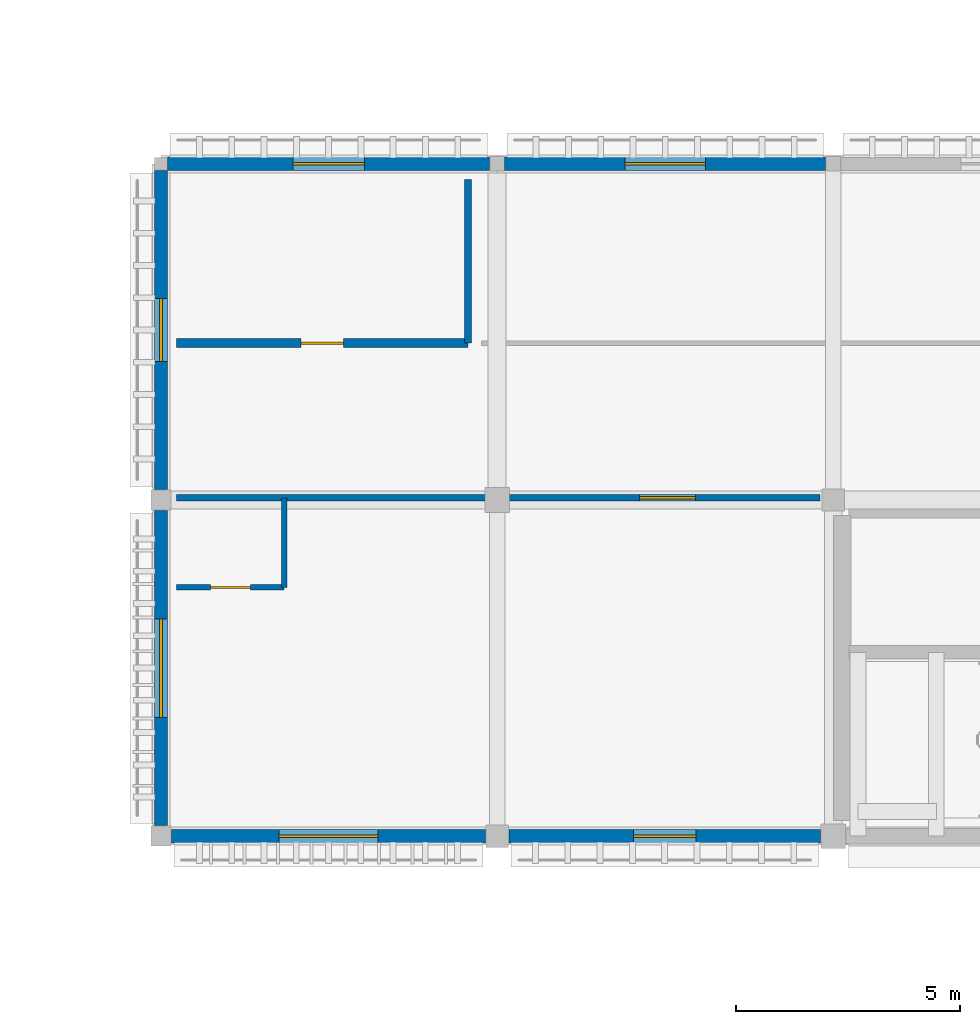
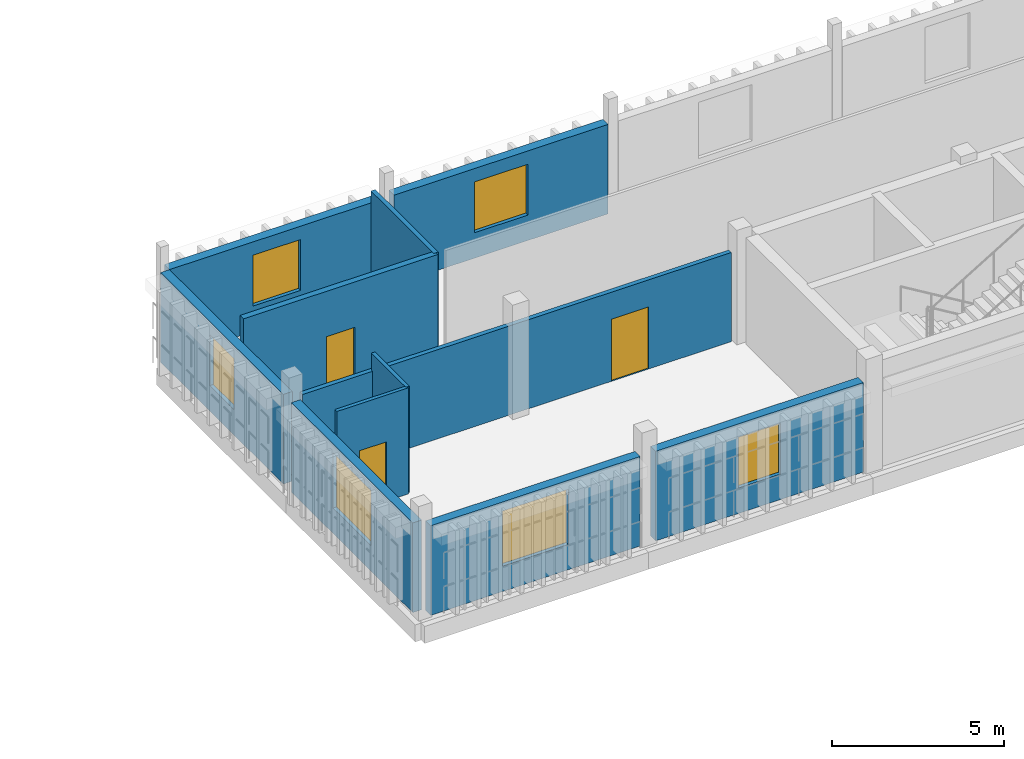
# One storey, part 20 of 48: 11 walls, 6 windows, 3 doors, 9 openings.
"""IFC4 building model written with IfcOpenShell, lengths in metres."""

import ifcopenshell
import ifcopenshell.guid

model = None  # the IFC model being written
_history = None  # IfcOwnerHistory: only IFC2X3 demands one
_inside = {}  # id of a spatial element -> (the spatial element, [elements in it])
_under = {}  # id of a project, library or spatial element -> (it, [spatial elements below it])
_declared = {}  # id of a project -> (the project, [libraries it declares])
_typed = {}  # id of a type object -> (the type object, [elements of that type])
_made_of = {}  # id of a material, layer set ... -> (it, [elements and type objects made of it])


def new_model(schema):
    """Start an empty IFC model of exactly this schema.

    Asked for "IFC4X3", IfcOpenShell would pick the latest addendum, in which some entities
    have other attributes; the version numbers below select the first issue.
    IFC2X3 requires an IfcOwnerHistory on every rooted entity: one is made here for all.
    """
    global model, _history
    if schema == "IFC4X3":
        model = ifcopenshell.file(schema_version=(4, 3, 0, 0))
    else:
        model = ifcopenshell.file(schema=schema)
    _inside.clear()
    _under.clear()
    _declared.clear()
    _typed.clear()
    _made_of.clear()
    _history = None
    if model.schema == "IFC2X3":
        org = make("IfcOrganization", Name="unknown")
        user = make(
            "IfcPersonAndOrganization",
            ThePerson=make("IfcPerson", FamilyName="unknown"),
            TheOrganization=org,
        )
        app = make(
            "IfcApplication",
            ApplicationDeveloper=org,
            Version="unknown",
            ApplicationFullName="unknown",
            ApplicationIdentifier="unknown",
        )
        _history = make(
            "IfcOwnerHistory",
            OwningUser=user,
            OwningApplication=app,
            ChangeAction="ADDED",
            CreationDate=0,
        )
    return model


def make(cls, **values):
    """One entity of the class cls with the attributes given. An attribute that is None is left unset."""
    return model.create_entity(
        cls, **{name: value for name, value in values.items() if value is not None}
    )


def rooted(cls, **values):
    """An entity with a GlobalId (a new one), such as an element, a storey or a relation."""
    return make(cls, GlobalId=ifcopenshell.guid.new(), OwnerHistory=_history, **values)


def si_unit(unit_type, name, prefix=None):
    """IfcSIUnit, for example si_unit("LENGTHUNIT", "METRE", prefix="MILLI")."""
    return make("IfcSIUnit", UnitType=unit_type, Prefix=prefix, Name=name)


def assignment(units):
    """IfcUnitAssignment: the units of a project."""
    return None if units is None else make("IfcUnitAssignment", Units=units)


def point(xyz):
    """IfcCartesianPoint."""
    return None if xyz is None else make("IfcCartesianPoint", Coordinates=xyz)


def direction(xyz):
    """IfcDirection."""
    return None if xyz is None else make("IfcDirection", DirectionRatios=xyz)


def frame(location, z_axis=None, x_axis=None):
    """IfcAxis2Placement3D, a coordinate frame: its origin and axes. An axis left out is left unset."""
    return make(
        "IfcAxis2Placement3D",
        Location=point(location),
        Axis=direction(z_axis),
        RefDirection=direction(x_axis),
    )


def frame_2d(location, x_axis=None):
    """IfcAxis2Placement2D, a coordinate frame in the plane: its origin and x axis."""
    return make(
        "IfcAxis2Placement2D", Location=point(location), RefDirection=direction(x_axis)
    )


def origin():
    """The frame at (0, 0, 0) with its axes left unset."""
    return frame((0.0, 0.0, 0.0))


def place(relative_to, where):
    """IfcLocalPlacement: puts the frame where relative to a parent placement (None: the world)."""
    return make(
        "IfcLocalPlacement", PlacementRelTo=relative_to, RelativePlacement=where
    )


def context(
    kind, dimensions, precision=None, world=None, true_north=None, identifier=None
):
    """IfcGeometricRepresentationContext, for example the 3D "Model" context."""
    return make(
        "IfcGeometricRepresentationContext",
        ContextIdentifier=identifier,
        ContextType=kind,
        CoordinateSpaceDimension=dimensions,
        Precision=precision,
        WorldCoordinateSystem=world,
        TrueNorth=true_north,
    )


def subcontext(parent, identifier, kind, view, scale=None):
    """IfcGeometricRepresentationSubContext, for example "Body" below "Model"."""
    return make(
        "IfcGeometricRepresentationSubContext",
        ContextIdentifier=identifier,
        ContextType=kind,
        ParentContext=parent,
        TargetScale=scale,
        TargetView=view,
    )


def project(units=None, contexts=None):
    """IfcProject with its units and contexts."""
    return rooted(
        "IfcProject",
        Name="project",
        RepresentationContexts=contexts,
        UnitsInContext=assignment(units),
    )


def spatial(cls, under=None, at=None, **own):
    """A site, building, storey or space (cls), placed at a placement, below another one or the project."""
    s = rooted(cls, ObjectPlacement=at, **own)
    if under is not None:
        _under.setdefault(under.id(), (under, []))[1].append(s)
    return s


def profile(cls, at=None, kind="AREA", **sizes):
    """A parametric profile (cls). Its sizes go by their IFC names, for example OverallWidth=200.0."""
    return make(cls, ProfileType=kind, Position=at, **sizes)


def rectangle(**sizes):
    """IfcRectangleProfileDef."""
    return profile("IfcRectangleProfileDef", **sizes)


def extrude(swept, where, along, depth):
    """IfcExtrudedAreaSolid: the profile swept, set in the frame where, extruded along a direction by depth."""
    return make(
        "IfcExtrudedAreaSolid",
        SweptArea=swept,
        Position=where,
        ExtrudedDirection=direction(along),
        Depth=depth,
    )


def shape(context_of_items, identifier, shape_type, items):
    """IfcShapeRepresentation: the items that make up one representation, for example the "Body"."""
    return make(
        "IfcShapeRepresentation",
        ContextOfItems=context_of_items,
        RepresentationIdentifier=identifier,
        RepresentationType=shape_type,
        Items=items,
    )


def material(Name=None, Category=None):
    """IfcMaterial."""
    return make("IfcMaterial", Name=Name, Category=Category)


def layer(
    of_material, thickness, ventilated=None, Name=None, Category=None, Priority=None
):
    """IfcMaterialLayer: one layer of a wall or slab, of a material (None: an air gap)."""
    return make(
        "IfcMaterialLayer",
        Material=of_material,
        LayerThickness=thickness,
        IsVentilated=ventilated,
        Name=Name,
        Category=Category,
        Priority=Priority,
    )


def layer_set(layers, Name=None):
    """IfcMaterialLayerSet."""
    return make("IfcMaterialLayerSet", MaterialLayers=layers, LayerSetName=Name)


def made_of(thing, what):
    """Note that an element or type object is made of a material, layer set ...; save() writes the relation."""
    if what is not None:
        _made_of.setdefault(what.id(), (what, []))[1].append(thing)
    return thing


def type_object(cls, material=None, **own):
    """A type object (cls), such as IfcWallType, which elements share."""
    return made_of(rooted(cls, **own), material)


def element(
    cls,
    number,
    at=None,
    inside=None,
    cuts=None,
    type_object=None,
    material=None,
    context=None,
    identifier="Body",
    shape_type=None,
    held_by="IfcProductDefinitionShape",
    body=None,
    shapes=None,
    **own,
):
    """One element of the class cls, such as IfcWall. Its Tag is "e" and its number.

    at: its placement. inside: the storey or other place that contains it. cuts: it is an
    opening in that element (IfcRelVoidsElement). A single representation is given by context,
    identifier, shape_type and body (its items); several are given by shapes. held_by: the class
    of the entity that holds the representations. save() writes the other relations.
    """
    e = rooted(cls, Tag="e%d" % number, ObjectPlacement=at, **own)
    if body is not None:
        shapes = [shape(context, identifier, shape_type, body)]
    if shapes is not None:
        e.Representation = make(held_by, Representations=shapes)
    if inside is not None:
        _inside.setdefault(inside.id(), (inside, []))[1].append(e)
    if cuts is not None:
        rooted(
            "IfcRelVoidsElement", RelatingBuildingElement=cuts, RelatedOpeningElement=e
        )
    if type_object is not None:
        _typed.setdefault(type_object.id(), (type_object, []))[1].append(e)
    return made_of(e, material)


def fill(opening, filler):
    """IfcRelFillsElement: the door or window that sits in an opening."""
    return rooted(
        "IfcRelFillsElement",
        RelatingOpeningElement=opening,
        RelatedBuildingElement=filler,
    )


def aggregate(whole, parts):
    """IfcRelAggregates: a whole, such as a stair, and the parts it consists of."""
    return rooted("IfcRelAggregates", RelatingObject=whole, RelatedObjects=parts)


def save(model, path):
    """Write the relations noted so far, then the file.

    IfcRelAggregates (storeys below a building ...), IfcRelContainedInSpatialStructure (elements
    in a storey), IfcRelDefinesByType, IfcRelAssociatesMaterial and IfcRelDeclares: one each for
    every whole, place, type object, material and project.
    """
    for whole, parts in _under.values():
        aggregate(whole, parts)
    for where, things in _inside.values():
        rooted(
            "IfcRelContainedInSpatialStructure",
            RelatedElements=things,
            RelatingStructure=where,
        )
    for kind, things in _typed.values():
        rooted("IfcRelDefinesByType", RelatedObjects=things, RelatingType=kind)
    for what, things in _made_of.values():
        rooted("IfcRelAssociatesMaterial", RelatedObjects=things, RelatingMaterial=what)
    for by, libraries in _declared.values():
        rooted("IfcRelDeclares", RelatingContext=by, RelatedDefinitions=libraries)
    model.write(path)


model = new_model("IFC4")

# Units and contexts
model_context = context("Model", 3, precision=1e-05, world=origin(), true_north=direction((0.0, 1.0)))
body_context = subcontext(model_context, "Body", "Model", "MODEL_VIEW")
ifc_project = project(units=[si_unit("LENGTHUNIT", "METRE"), si_unit("AREAUNIT", "SQUARE_METRE"), si_unit("VOLUMEUNIT", "CUBIC_METRE"), si_unit("PLANEANGLEUNIT", "RADIAN"), si_unit("MASSUNIT", "GRAM", prefix="KILO")], contexts=[model_context])

# Site, building, storey
site_placement = place(None, origin())
site = spatial("IfcSite", under=ifc_project, at=site_placement, CompositionType="ELEMENT")
building_placement = place(site_placement, origin())
building = spatial("IfcBuilding", under=site, at=building_placement, Name="Dalvernix Boulevard General Hospital", CompositionType="ELEMENT")
storey_placement = place(building_placement, frame((0.0, 0.0, 17.85009765625)))
storey = spatial("IfcBuildingStorey", under=building, at=storey_placement, Name="L04", CompositionType="ELEMENT", Elevation=17.85009765625)

# Wall, opening, window
ifc_material_1 = material(Name="Pressed Catalan clay brick and ceramic spandrel wall C35/45", Category="masonry")
ifc_layer_1 = layer(ifc_material_1, 0.300048828125)
ifc_layer_set_1 = layer_set([ifc_layer_1], Name="Pressed Catalan clay brick and ceramic spandrel wall C35/45 (WAL-EW-02)")
wall_type_1 = type_object("IfcWallType", Name="WAL-EW-02", PredefinedType="STANDARD", material=ifc_layer_set_1)
wall_1_placement = place(storey_placement, frame((119.739990234375, 7.5, 0.0), z_axis=(0.0, 0.0, 1.0), x_axis=(-1.0, 0.0, 0.0)))
wall_1 = element("IfcWall", 1, at=wall_1_placement, inside=storey, type_object=wall_type_1, Name="L04 Catalan brick external wall S 15-1", PredefinedType="STANDARD", context=body_context, shape_type="SweptSolid", body=[
    extrude(rectangle(XDim=7.0048828125, YDim=0.300048828125, at=frame_2d((3.50244140625, 0.0))), origin(), (0.0, 0.0, 1.0), 3.169921875),
])
opening_1_placement = place(wall_1_placement, frame((2.402587890625, 0.0, 0.89990234375)))
opening_1 = element("IfcOpeningElement", 2, at=opening_1_placement, cuts=wall_1, Name="Opening WN-13", PredefinedType="OPENING", context=body_context, shape_type="SweptSolid", body=[
    extrude(rectangle(XDim=2.199951171875, YDim=1.949951171875, at=frame_2d((1.10009765625, 0.97509765625))), frame((0.0, 0.159912109375, 0.0), z_axis=(0.0, -1.0, 0.0), x_axis=(1.0, 0.0, 0.0)), (0.0, 0.0, 1.0), 0.320068359375),
])
ifc_material_2 = material(Name="Thermally broken aluminium frame with solar-control double glazing", Category="aluminium")
window_type_1 = type_object("IfcWindowType", Name="WIN-WN-13", PartitioningType="SINGLE_PANEL", PredefinedType="WINDOW", material=ifc_material_2)
window_1_placement = place(opening_1_placement, origin())
window_1 = element("IfcWindow", 3, at=window_1_placement, inside=storey, type_object=window_type_1, Name="L04 clinical window WN-13 S 15-1", OverallHeight=1.949951171875, OverallWidth=2.199951171875, PartitioningType="SINGLE_PANEL", PredefinedType="WINDOW", context=body_context, shape_type="SweptSolid", body=[
    extrude(rectangle(XDim=2.199951171875, YDim=1.949951171875, at=frame_2d((1.10009765625, 0.97509765625))), frame((0.0, 0.030029296875, 0.0), z_axis=(0.0, -1.0, 0.0), x_axis=(1.0, 0.0, 0.0)), (0.0, 0.0, 1.0), 0.06005859375),
])
fill(opening_1, window_1)

wall_2_placement = place(storey_placement, frame((112.5, 7.735107421875, 0.0), z_axis=(0.0, 0.0, 1.0), x_axis=(0.0, 1.0, 0.0)))
wall_2 = element("IfcWall", 4, at=wall_2_placement, inside=storey, type_object=wall_type_1, Name="L04 Catalan brick external wall W 15-1", PredefinedType="STANDARD", context=body_context, shape_type="SweptSolid", body=[
    extrude(rectangle(XDim=7.02978515625, YDim=0.300048828125, at=frame_2d((3.514892578125, 0.0))), origin(), (0.0, 0.0, 1.0), 3.169921875),
])
opening_2_placement = place(wall_2_placement, frame((2.4150390625, 0.0, 0.89990234375)))
opening_2 = element("IfcOpeningElement", 5, at=opening_2_placement, cuts=wall_2, Name="Opening WN-13", PredefinedType="OPENING", context=body_context, shape_type="SweptSolid", body=[
    extrude(rectangle(XDim=2.199951171875, YDim=1.949951171875, at=frame_2d((1.10009765625, 0.97509765625))), frame((0.0, 0.159912109375, 0.0), z_axis=(0.0, -1.0, 0.0), x_axis=(1.0, 0.0, 0.0)), (0.0, 0.0, 1.0), 0.320068359375),
])
window_2_placement = place(opening_2_placement, origin())
window_2 = element("IfcWindow", 6, at=window_2_placement, inside=storey, type_object=window_type_1, Name="L04 clinical window WN-13 W 15-1", OverallHeight=1.949951171875, OverallWidth=2.199951171875, PartitioningType="SINGLE_PANEL", PredefinedType="WINDOW", context=body_context, shape_type="SweptSolid", body=[
    extrude(rectangle(XDim=2.199951171875, YDim=1.949951171875, at=frame_2d((1.10009765625, 0.97509765625))), frame((0.0, 0.030029296875, 0.0), z_axis=(0.0, -1.0, 0.0), x_axis=(1.0, 0.0, 0.0)), (0.0, 0.0, 1.0), 0.06005859375),
])
fill(opening_2, window_2)

wall_3_placement = place(storey_placement, frame((112.64990234375, 22.5, 0.0), z_axis=(0.0, 0.0, 1.0), x_axis=(1.0, 0.0, 0.0)))
wall_3 = element("IfcWall", 7, at=wall_3_placement, inside=storey, type_object=wall_type_1, Name="L04 Catalan brick external wall N 15-3", PredefinedType="STANDARD", context=body_context, shape_type="SweptSolid", body=[
    extrude(rectangle(XDim=7.18017578125, YDim=0.300048828125, at=frame_2d((3.590087890625, 0.0))), origin(), (0.0, 0.0, 1.0), 3.169921875),
])
opening_3_placement = place(wall_3_placement, frame((2.7900390625, 0.0, 0.89990234375)))
opening_3 = element("IfcOpeningElement", 8, at=opening_3_placement, cuts=wall_3, Name="Opening WN-15", PredefinedType="OPENING", context=body_context, shape_type="SweptSolid", body=[
    extrude(rectangle(XDim=1.60009765625, YDim=1.800048828125, at=frame_2d((0.800048828125, 0.89990234375))), frame((0.0, 0.159912109375, 0.0), z_axis=(0.0, -1.0, 0.0), x_axis=(1.0, 0.0, 0.0)), (0.0, 0.0, 1.0), 0.320068359375),
])
window_type_2 = type_object("IfcWindowType", Name="WIN-WN-15", PartitioningType="SINGLE_PANEL", PredefinedType="WINDOW", material=ifc_material_2)
window_3_placement = place(opening_3_placement, origin())
window_3 = element("IfcWindow", 9, at=window_3_placement, inside=storey, type_object=window_type_2, Name="L04 clinical window WN-15 N 15-3", OverallHeight=1.800048828125, OverallWidth=1.60009765625, PartitioningType="SINGLE_PANEL", PredefinedType="WINDOW", context=body_context, shape_type="SweptSolid", body=[
    extrude(rectangle(XDim=1.60009765625, YDim=1.800048828125, at=frame_2d((0.800048828125, 0.89990234375))), frame((0.0, 0.030029296875, 0.0), z_axis=(0.0, -1.0, 0.0), x_axis=(1.0, 0.0, 0.0)), (0.0, 0.0, 1.0), 0.06005859375),
])
fill(opening_3, window_3)

wall_4_placement = place(storey_placement, frame((112.5, 15.235107421875, 0.0), z_axis=(0.0, 0.0, 1.0), x_axis=(0.0, 1.0, 0.0)))
wall_4 = element("IfcWall", 10, at=wall_4_placement, inside=storey, type_object=wall_type_1, Name="L04 Catalan brick external wall W 15-2", PredefinedType="STANDARD", context=body_context, shape_type="SweptSolid", body=[
    extrude(rectangle(XDim=7.114990234375, YDim=0.300048828125, at=frame_2d((3.5576171875, 0.0))), origin(), (0.0, 0.0, 1.0), 3.169921875),
])
opening_4_placement = place(wall_4_placement, frame((2.857421875, 0.0, 0.89990234375)))
opening_4 = element("IfcOpeningElement", 11, at=opening_4_placement, cuts=wall_4, Name="Opening WN-14", PredefinedType="OPENING", context=body_context, shape_type="SweptSolid", body=[
    extrude(rectangle(XDim=1.39990234375, YDim=1.800048828125, at=frame_2d((0.699951171875, 0.89990234375))), frame((0.0, 0.159912109375, 0.0), z_axis=(0.0, -1.0, 0.0), x_axis=(1.0, 0.0, 0.0)), (0.0, 0.0, 1.0), 0.320068359375),
])
window_type_3 = type_object("IfcWindowType", Name="WIN-WN-14", PartitioningType="SINGLE_PANEL", PredefinedType="WINDOW", material=ifc_material_2)
window_4_placement = place(opening_4_placement, origin())
window_4 = element("IfcWindow", 12, at=window_4_placement, inside=storey, type_object=window_type_3, Name="L04 clinical window WN-14 W 15-2", OverallHeight=1.800048828125, OverallWidth=1.39990234375, PartitioningType="SINGLE_PANEL", PredefinedType="WINDOW", context=body_context, shape_type="SweptSolid", body=[
    extrude(rectangle(XDim=1.39990234375, YDim=1.800048828125, at=frame_2d((0.699951171875, 0.89990234375))), frame((0.0, 0.030029296875, 0.0), z_axis=(0.0, -1.0, 0.0), x_axis=(1.0, 0.0, 0.0)), (0.0, 0.0, 1.0), 0.06005859375),
])
fill(opening_4, window_4)

wall_5_placement = place(storey_placement, frame((127.215087890625, 7.5, 0.0), z_axis=(0.0, 0.0, 1.0), x_axis=(-1.0, 0.0, 0.0)))
wall_5 = element("IfcWall", 13, at=wall_5_placement, inside=storey, type_object=wall_type_1, Name="L04 Catalan brick external wall S 16-1", PredefinedType="STANDARD", context=body_context, shape_type="SweptSolid", body=[
    extrude(rectangle(XDim=6.955078125, YDim=0.300048828125, at=frame_2d((3.4775390625, 0.0))), origin(), (0.0, 0.0, 1.0), 3.169921875),
])
opening_5_placement = place(wall_5_placement, frame((2.777587890625, 0.0, 0.89990234375)))
opening_5 = element("IfcOpeningElement", 14, at=opening_5_placement, cuts=wall_5, Name="Opening WN-14", PredefinedType="OPENING", context=body_context, shape_type="SweptSolid", body=[
    extrude(rectangle(XDim=1.39990234375, YDim=1.800048828125, at=frame_2d((0.699951171875, 0.89990234375))), frame((0.0, 0.159912109375, 0.0), z_axis=(0.0, -1.0, 0.0), x_axis=(1.0, 0.0, 0.0)), (0.0, 0.0, 1.0), 0.320068359375),
])
window_5_placement = place(opening_5_placement, origin())
window_5 = element("IfcWindow", 15, at=window_5_placement, inside=storey, type_object=window_type_3, Name="L04 clinical window WN-14 S 16-1", OverallHeight=1.800048828125, OverallWidth=1.39990234375, PartitioningType="SINGLE_PANEL", PredefinedType="WINDOW", context=body_context, shape_type="SweptSolid", body=[
    extrude(rectangle(XDim=1.39990234375, YDim=1.800048828125, at=frame_2d((0.699951171875, 0.89990234375))), frame((0.0, 0.030029296875, 0.0), z_axis=(0.0, -1.0, 0.0), x_axis=(1.0, 0.0, 0.0)), (0.0, 0.0, 1.0), 0.06005859375),
])
fill(opening_5, window_5)

wall_6_placement = place(storey_placement, frame((120.169921875, 22.5, 0.0), z_axis=(0.0, 0.0, 1.0), x_axis=(1.0, 0.0, 0.0)))
wall_6 = element("IfcWall", 16, at=wall_6_placement, inside=storey, type_object=wall_type_1, Name="L04 Catalan brick external wall N 16-3", PredefinedType="STANDARD", context=body_context, shape_type="SweptSolid", body=[
    extrude(rectangle(XDim=7.16015625, YDim=0.300048828125, at=frame_2d((3.580078125, 0.0))), origin(), (0.0, 0.0, 1.0), 3.169921875),
])
opening_6_placement = place(wall_6_placement, frame((2.679931640625, 0.0, 0.89990234375)))
opening_6 = element("IfcOpeningElement", 17, at=opening_6_placement, cuts=wall_6, Name="Opening WN-16", PredefinedType="OPENING", context=body_context, shape_type="SweptSolid", body=[
    extrude(rectangle(XDim=1.800048828125, YDim=1.800048828125, at=frame_2d((0.89990234375, 0.89990234375))), frame((0.0, 0.159912109375, 0.0), z_axis=(0.0, -1.0, 0.0), x_axis=(1.0, 0.0, 0.0)), (0.0, 0.0, 1.0), 0.320068359375),
])
window_type_4 = type_object("IfcWindowType", Name="WIN-WN-16", PartitioningType="SINGLE_PANEL", PredefinedType="WINDOW", material=ifc_material_2)
window_6_placement = place(opening_6_placement, origin())
window_6 = element("IfcWindow", 18, at=window_6_placement, inside=storey, type_object=window_type_4, Name="L04 clinical window WN-16 N 16-3", OverallHeight=1.800048828125, OverallWidth=1.800048828125, PartitioningType="SINGLE_PANEL", PredefinedType="WINDOW", context=body_context, shape_type="SweptSolid", body=[
    extrude(rectangle(XDim=1.800048828125, YDim=1.800048828125, at=frame_2d((0.89990234375, 0.89990234375))), frame((0.0, 0.030029296875, 0.0), z_axis=(0.0, -1.0, 0.0), x_axis=(1.0, 0.0, 0.0)), (0.0, 0.0, 1.0), 0.06005859375),
])
fill(opening_6, window_6)

# Wall, opening, door
ifc_material_3 = material(Name="Fire-compartment corridor masonry wall", Category="masonry")
ifc_layer_2 = layer(ifc_material_3, 0.199951171875)
ifc_layer_set_2 = layer_set([ifc_layer_2], Name="Fire-compartment corridor masonry wall (WAL-IW-02)")
wall_type_2 = type_object("IfcWallType", Name="WAL-IW-02", PredefinedType="STANDARD", material=ifc_layer_set_2)
wall_7_placement = place(storey_placement, frame((112.85009765625, 18.5, 0.0), z_axis=(0.0, 0.0, 1.0), x_axis=(1.0, 0.0, 0.0)))
wall_7 = element("IfcWall", 19, at=wall_7_placement, inside=storey, type_object=wall_type_2, Name="L04 Accessible WC L04 South-East corridor wall", PredefinedType="STANDARD", context=body_context, shape_type="SweptSolid", body=[
    extrude(rectangle(XDim=6.5, YDim=0.199951171875, at=frame_2d((3.25, 0.0))), origin(), (0.0, 0.0, 1.0), 3.7548828125),
])
opening_7_placement = place(wall_7_placement, frame((2.77490234375, 0.0, 0.0)))
opening_7 = element("IfcOpeningElement", 20, at=opening_7_placement, cuts=wall_7, Name="Opening ID-06", PredefinedType="OPENING", context=body_context, shape_type="SweptSolid", body=[
    extrude(rectangle(XDim=0.949951171875, YDim=2.14990234375, at=frame_2d((0.47509765625, 1.074951171875))), frame((0.0, 0.10986328125, 0.0), z_axis=(0.0, -1.0, 0.0), x_axis=(1.0, 0.0, 0.0)), (0.0, 0.0, 1.0), 0.219970703125),
])
ifc_material_4 = material(Name="Hospital laminate acoustic timber and steel frame", Category="steel")
door_type_1 = type_object("IfcDoorType", Name="DR-ID-06", OperationType="NOTDEFINED", PredefinedType="DOOR", material=ifc_material_4)
door_1_placement = place(opening_7_placement, origin())
door_1 = element("IfcDoor", 21, at=door_1_placement, inside=storey, type_object=door_type_1, Name="L04 Accessible WC L04 South-East door", OperationType="SINGLE_SWING_LEFT", OverallHeight=2.14990234375, OverallWidth=0.949951171875, PredefinedType="DOOR", context=body_context, shape_type="SweptSolid", body=[
    extrude(rectangle(XDim=0.949951171875, YDim=2.14990234375, at=frame_2d((0.47509765625, 1.074951171875))), frame((0.0, 0.02490234375, 0.0), z_axis=(0.0, -1.0, 0.0), x_axis=(1.0, 0.0, 0.0)), (0.0, 0.0, 1.0), 0.050048828125),
])
fill(opening_7, door_1)

ifc_material_5 = material(Name="Acoustic double-stud gypsum inpatient partition")
ifc_layer_3 = layer(ifc_material_5, 0.14990234375)
ifc_layer_set_3 = layer_set([ifc_layer_3], Name="Acoustic double-stud gypsum inpatient partition (WAL-IW-04)")
wall_type_3 = type_object("IfcWallType", Name="WAL-IW-04", PredefinedType="PARTITIONING", material=ifc_layer_set_3)
wall_8_placement = place(storey_placement, frame((127.199951171875, 15.050048828125, 0.0), z_axis=(0.0, 0.0, 1.0), x_axis=(-1.0, 0.0, 0.0)))
wall_8 = element("IfcWall", 22, at=wall_8_placement, inside=storey, type_object=wall_type_3, Name="L04 Paediatric Patient Room L04-01 corridor wall", PredefinedType="PARTITIONING", context=body_context, shape_type="SweptSolid", body=[
    extrude(rectangle(XDim=14.349853515625, YDim=0.14990234375, at=frame_2d((7.1748046875, 0.0))), origin(), (0.0, 0.0, 1.0), 3.15478515625),
])
opening_8_placement = place(wall_8_placement, frame((2.77001953125, 0.0, 0.0)))
opening_8 = element("IfcOpeningElement", 23, at=opening_8_placement, cuts=wall_8, Name="Opening ID-04", PredefinedType="OPENING", context=body_context, shape_type="SweptSolid", body=[
    extrude(rectangle(XDim=1.25, YDim=2.199951171875, at=frame_2d((0.625, 1.10009765625))), frame((0.0, 0.0849609375, 0.0), z_axis=(0.0, -1.0, 0.0), x_axis=(1.0, 0.0, 0.0)), (0.0, 0.0, 1.0), 0.169921875),
])
door_type_2 = type_object("IfcDoorType", Name="DR-ID-04", OperationType="NOTDEFINED", PredefinedType="DOOR", material=ifc_material_4)
door_2_placement = place(opening_8_placement, origin())
door_2 = element("IfcDoor", 24, at=door_2_placement, inside=storey, type_object=door_type_2, Name="L04 Paediatric Patient Room L04-01 door", OperationType="SINGLE_SWING_LEFT", OverallHeight=2.199951171875, OverallWidth=1.25, PredefinedType="DOOR", context=body_context, shape_type="SweptSolid", body=[
    extrude(rectangle(XDim=1.25, YDim=2.199951171875, at=frame_2d((0.625, 1.10009765625))), frame((0.0, 0.02490234375, 0.0), z_axis=(0.0, -1.0, 0.0), x_axis=(1.0, 0.0, 0.0)), (0.0, 0.0, 1.0), 0.050048828125),
])
fill(opening_8, door_2)

# Wall
wall_9_placement = place(storey_placement, frame((119.35009765625, 18.5, 0.0), z_axis=(0.0, 0.0, 1.0), x_axis=(0.0, 1.0, 0.0)))
element("IfcWall", 25, at=wall_9_placement, inside=storey, type_object=wall_type_3, Name="L04 Accessible WC L04 South-East partition", PredefinedType="PARTITIONING", context=body_context, shape_type="SweptSolid", body=[
    extrude(rectangle(XDim=3.64990234375, YDim=0.14990234375, at=frame_2d((1.824951171875, 0.0))), origin(), (0.0, 0.0, 1.0), 3.7548828125),
])

# Wall, opening, door
ifc_material_6 = material(Name="Moisture-resistant en-suite bathroom partition")
ifc_layer_4 = layer(ifc_material_6, 0.1201171875)
ifc_layer_set_4 = layer_set([ifc_layer_4], Name="Moisture-resistant en-suite bathroom partition (WAL-IW-05)")
wall_type_4 = type_object("IfcWallType", Name="WAL-IW-05", PredefinedType="PARTITIONING", material=ifc_layer_set_4)
wall_10_placement = place(storey_placement, frame((112.85009765625, 13.050048828125, 0.0), z_axis=(0.0, 0.0, 1.0), x_axis=(1.0, 0.0, 0.0)))
wall_10 = element("IfcWall", 26, at=wall_10_placement, inside=storey, type_object=wall_type_4, Name="L04 en-suite bathroom door wall", PredefinedType="PARTITIONING", context=body_context, shape_type="SweptSolid", body=[
    extrude(rectangle(XDim=2.39990234375, YDim=0.1201171875, at=frame_2d((1.199951171875, 0.0))), origin(), (0.0, 0.0, 1.0), 3.7548828125),
])
opening_9_placement = place(wall_10_placement, frame((0.75, 0.0, 0.0)))
opening_9 = element("IfcOpeningElement", 27, at=opening_9_placement, cuts=wall_10, Name="Opening ID-05", PredefinedType="OPENING", context=body_context, shape_type="SweptSolid", body=[
    extrude(rectangle(XDim=0.89990234375, YDim=2.10009765625, at=frame_2d((0.449951171875, 1.050048828125))), frame((0.0, 0.070068359375, 0.0), z_axis=(0.0, -1.0, 0.0), x_axis=(1.0, 0.0, 0.0)), (0.0, 0.0, 1.0), 0.14013671875),
])
door_type_3 = type_object("IfcDoorType", Name="DR-ID-05", OperationType="NOTDEFINED", PredefinedType="DOOR", material=ifc_material_4)
door_3_placement = place(opening_9_placement, origin())
door_3 = element("IfcDoor", 28, at=door_3_placement, inside=storey, type_object=door_type_3, Name="L04 L04-V5-W1 en-suite bathroom door", OperationType="SINGLE_SWING_RIGHT", OverallHeight=2.10009765625, OverallWidth=0.89990234375, PredefinedType="DOOR", context=body_context, shape_type="SweptSolid", body=[
    extrude(rectangle(XDim=0.89990234375, YDim=2.10009765625, at=frame_2d((0.449951171875, 1.050048828125))), frame((0.0, 0.02490234375, 0.0), z_axis=(0.0, -1.0, 0.0), x_axis=(1.0, 0.0, 0.0)), (0.0, 0.0, 1.0), 0.050048828125),
])
fill(opening_9, door_3)

# Wall
wall_11_placement = place(storey_placement, frame((115.25, 13.050048828125, 0.0), z_axis=(0.0, 0.0, 1.0), x_axis=(0.0, 1.0, 0.0)))
element("IfcWall", 29, at=wall_11_placement, inside=storey, type_object=wall_type_4, Name="L04 en-suite bathroom side wall", PredefinedType="PARTITIONING", context=body_context, shape_type="SweptSolid", body=[
    extrude(rectangle(XDim=2.0, YDim=0.1201171875, at=frame_2d((1.0, 0.0))), origin(), (0.0, 0.0, 1.0), 3.7548828125),
])

save(model, "model.ifc")
